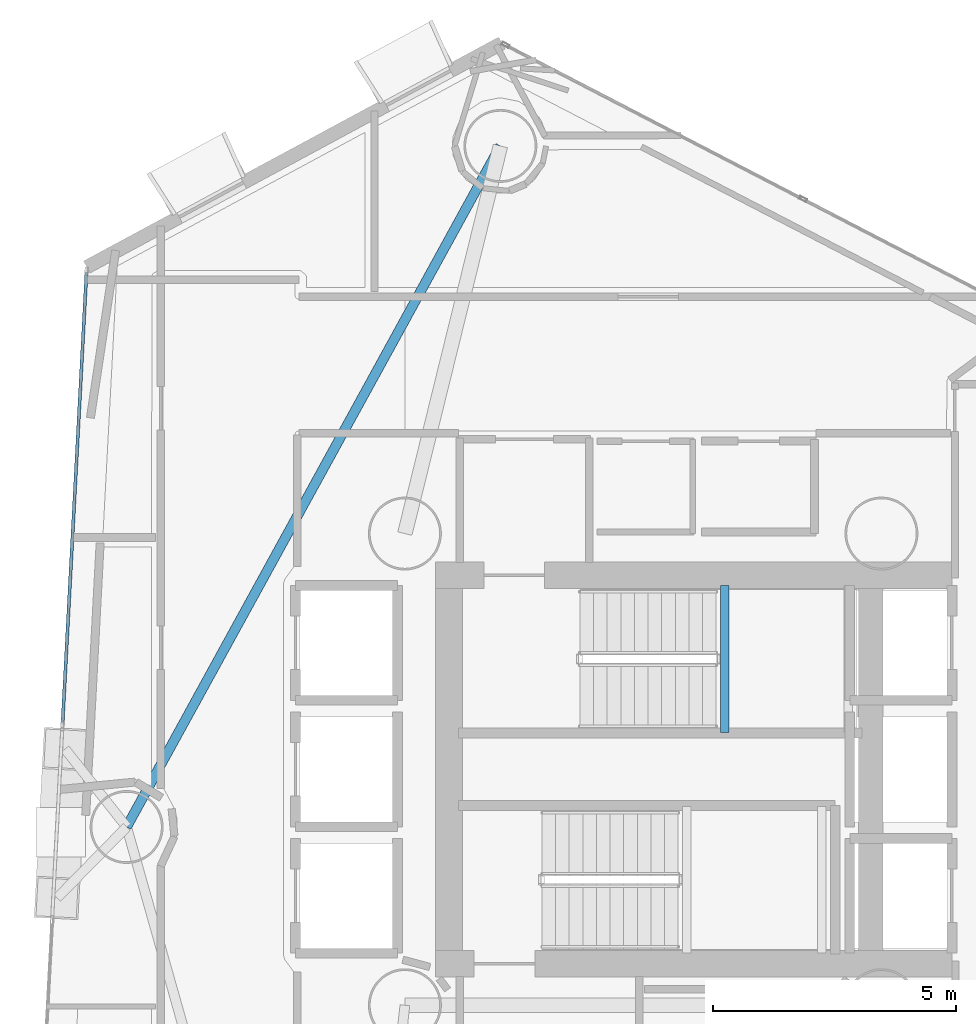
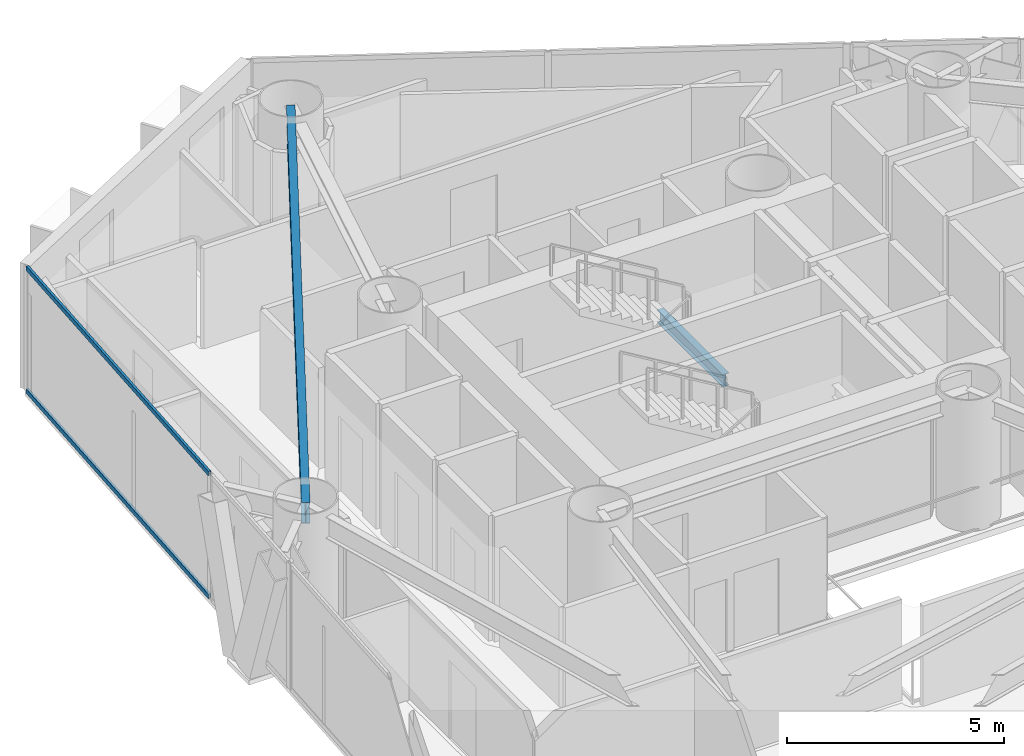
# One storey, part 8 of 21: 2 beams, 2 members, 1 element without a shape of its own.
"""IFC4 building model written with IfcOpenShell, lengths in metres."""

import ifcopenshell
import ifcopenshell.guid

model = None  # the IFC model being written
_history = None  # IfcOwnerHistory: only IFC2X3 demands one
_inside = {}  # id of a spatial element -> (the spatial element, [elements in it])
_under = {}  # id of a project, library or spatial element -> (it, [spatial elements below it])
_declared = {}  # id of a project -> (the project, [libraries it declares])
_typed = {}  # id of a type object -> (the type object, [elements of that type])
_made_of = {}  # id of a material, layer set ... -> (it, [elements and type objects made of it])


def new_model(schema):
    """Start an empty IFC model of exactly this schema.

    Asked for "IFC4X3", IfcOpenShell would pick the latest addendum, in which some entities
    have other attributes; the version numbers below select the first issue.
    IFC2X3 requires an IfcOwnerHistory on every rooted entity: one is made here for all.
    """
    global model, _history
    if schema == "IFC4X3":
        model = ifcopenshell.file(schema_version=(4, 3, 0, 0))
    else:
        model = ifcopenshell.file(schema=schema)
    _inside.clear()
    _under.clear()
    _declared.clear()
    _typed.clear()
    _made_of.clear()
    _history = None
    if model.schema == "IFC2X3":
        org = make("IfcOrganization", Name="unknown")
        user = make(
            "IfcPersonAndOrganization",
            ThePerson=make("IfcPerson", FamilyName="unknown"),
            TheOrganization=org,
        )
        app = make(
            "IfcApplication",
            ApplicationDeveloper=org,
            Version="unknown",
            ApplicationFullName="unknown",
            ApplicationIdentifier="unknown",
        )
        _history = make(
            "IfcOwnerHistory",
            OwningUser=user,
            OwningApplication=app,
            ChangeAction="ADDED",
            CreationDate=0,
        )
    return model


def make(cls, **values):
    """One entity of the class cls with the attributes given. An attribute that is None is left unset."""
    return model.create_entity(
        cls, **{name: value for name, value in values.items() if value is not None}
    )


def rooted(cls, **values):
    """An entity with a GlobalId (a new one), such as an element, a storey or a relation."""
    return make(cls, GlobalId=ifcopenshell.guid.new(), OwnerHistory=_history, **values)


def si_unit(unit_type, name, prefix=None):
    """IfcSIUnit, for example si_unit("LENGTHUNIT", "METRE", prefix="MILLI")."""
    return make("IfcSIUnit", UnitType=unit_type, Prefix=prefix, Name=name)


def assignment(units):
    """IfcUnitAssignment: the units of a project."""
    return None if units is None else make("IfcUnitAssignment", Units=units)


def point(xyz):
    """IfcCartesianPoint."""
    return None if xyz is None else make("IfcCartesianPoint", Coordinates=xyz)


def direction(xyz):
    """IfcDirection."""
    return None if xyz is None else make("IfcDirection", DirectionRatios=xyz)


def frame(location, z_axis=None, x_axis=None):
    """IfcAxis2Placement3D, a coordinate frame: its origin and axes. An axis left out is left unset."""
    return make(
        "IfcAxis2Placement3D",
        Location=point(location),
        Axis=direction(z_axis),
        RefDirection=direction(x_axis),
    )


def frame_2d(location, x_axis=None):
    """IfcAxis2Placement2D, a coordinate frame in the plane: its origin and x axis."""
    return make(
        "IfcAxis2Placement2D", Location=point(location), RefDirection=direction(x_axis)
    )


def origin():
    """The frame at (0, 0, 0) with its axes left unset."""
    return frame((0.0, 0.0, 0.0))


def origin_2d():
    """The frame at (0, 0) in the plane with its x axis left unset."""
    return frame_2d((0.0, 0.0))


def place(relative_to, where):
    """IfcLocalPlacement: puts the frame where relative to a parent placement (None: the world)."""
    return make(
        "IfcLocalPlacement", PlacementRelTo=relative_to, RelativePlacement=where
    )


def context(
    kind, dimensions, precision=None, world=None, true_north=None, identifier=None
):
    """IfcGeometricRepresentationContext, for example the 3D "Model" context."""
    return make(
        "IfcGeometricRepresentationContext",
        ContextIdentifier=identifier,
        ContextType=kind,
        CoordinateSpaceDimension=dimensions,
        Precision=precision,
        WorldCoordinateSystem=world,
        TrueNorth=true_north,
    )


def subcontext(parent, identifier, kind, view, scale=None):
    """IfcGeometricRepresentationSubContext, for example "Body" below "Model"."""
    return make(
        "IfcGeometricRepresentationSubContext",
        ContextIdentifier=identifier,
        ContextType=kind,
        ParentContext=parent,
        TargetScale=scale,
        TargetView=view,
    )


def project(units=None, contexts=None):
    """IfcProject with its units and contexts."""
    return rooted(
        "IfcProject",
        Name="project",
        RepresentationContexts=contexts,
        UnitsInContext=assignment(units),
    )


def spatial(cls, under=None, at=None, **own):
    """A site, building, storey or space (cls), placed at a placement, below another one or the project."""
    s = rooted(cls, ObjectPlacement=at, **own)
    if under is not None:
        _under.setdefault(under.id(), (under, []))[1].append(s)
    return s


def profile(cls, at=None, kind="AREA", **sizes):
    """A parametric profile (cls). Its sizes go by their IFC names, for example OverallWidth=200.0."""
    return make(cls, ProfileType=kind, Position=at, **sizes)


def hollow_rectangle(**sizes):
    """IfcRectangleHollowProfileDef."""
    return profile("IfcRectangleHollowProfileDef", **sizes)


def i_section(**sizes):
    """IfcIShapeProfileDef."""
    return profile("IfcIShapeProfileDef", **sizes)


def extrude(swept, where, along, depth):
    """IfcExtrudedAreaSolid: the profile swept, set in the frame where, extruded along a direction by depth."""
    return make(
        "IfcExtrudedAreaSolid",
        SweptArea=swept,
        Position=where,
        ExtrudedDirection=direction(along),
        Depth=depth,
    )


def shape(context_of_items, identifier, shape_type, items):
    """IfcShapeRepresentation: the items that make up one representation, for example the "Body"."""
    return make(
        "IfcShapeRepresentation",
        ContextOfItems=context_of_items,
        RepresentationIdentifier=identifier,
        RepresentationType=shape_type,
        Items=items,
    )


def material(Name=None, Category=None):
    """IfcMaterial."""
    return make("IfcMaterial", Name=Name, Category=Category)


def layer(
    of_material, thickness, ventilated=None, Name=None, Category=None, Priority=None
):
    """IfcMaterialLayer: one layer of a wall or slab, of a material (None: an air gap)."""
    return make(
        "IfcMaterialLayer",
        Material=of_material,
        LayerThickness=thickness,
        IsVentilated=ventilated,
        Name=Name,
        Category=Category,
        Priority=Priority,
    )


def layer_set(layers, Name=None):
    """IfcMaterialLayerSet."""
    return make("IfcMaterialLayerSet", MaterialLayers=layers, LayerSetName=Name)


def material_profile(
    of_material, cross_section, Name=None, Category=None, Priority=None
):
    """IfcMaterialProfile: a cross section and its material."""
    return make(
        "IfcMaterialProfile",
        Name=Name,
        Material=of_material,
        Profile=cross_section,
        Priority=Priority,
        Category=Category,
    )


def profile_set(profiles, Name=None, composite=None):
    """IfcMaterialProfileSet."""
    return make(
        "IfcMaterialProfileSet",
        Name=Name,
        MaterialProfiles=profiles,
        CompositeProfile=composite,
    )


def made_of(thing, what):
    """Note that an element or type object is made of a material, layer set ...; save() writes the relation."""
    if what is not None:
        _made_of.setdefault(what.id(), (what, []))[1].append(thing)
    return thing


def type_object(cls, material=None, **own):
    """A type object (cls), such as IfcWallType, which elements share."""
    return made_of(rooted(cls, **own), material)


def element(
    cls,
    number,
    at=None,
    inside=None,
    cuts=None,
    type_object=None,
    material=None,
    context=None,
    identifier="Body",
    shape_type=None,
    held_by="IfcProductDefinitionShape",
    body=None,
    shapes=None,
    **own,
):
    """One element of the class cls, such as IfcWall. Its Tag is "e" and its number.

    at: its placement. inside: the storey or other place that contains it. cuts: it is an
    opening in that element (IfcRelVoidsElement). A single representation is given by context,
    identifier, shape_type and body (its items); several are given by shapes. held_by: the class
    of the entity that holds the representations. save() writes the other relations.
    """
    e = rooted(cls, Tag="e%d" % number, ObjectPlacement=at, **own)
    if body is not None:
        shapes = [shape(context, identifier, shape_type, body)]
    if shapes is not None:
        e.Representation = make(held_by, Representations=shapes)
    if inside is not None:
        _inside.setdefault(inside.id(), (inside, []))[1].append(e)
    if cuts is not None:
        rooted(
            "IfcRelVoidsElement", RelatingBuildingElement=cuts, RelatedOpeningElement=e
        )
    if type_object is not None:
        _typed.setdefault(type_object.id(), (type_object, []))[1].append(e)
    return made_of(e, material)


def aggregate(whole, parts):
    """IfcRelAggregates: a whole, such as a stair, and the parts it consists of."""
    return rooted("IfcRelAggregates", RelatingObject=whole, RelatedObjects=parts)


def save(model, path):
    """Write the relations noted so far, then the file.

    IfcRelAggregates (storeys below a building ...), IfcRelContainedInSpatialStructure (elements
    in a storey), IfcRelDefinesByType, IfcRelAssociatesMaterial and IfcRelDeclares: one each for
    every whole, place, type object, material and project.
    """
    for whole, parts in _under.values():
        aggregate(whole, parts)
    for where, things in _inside.values():
        rooted(
            "IfcRelContainedInSpatialStructure",
            RelatedElements=things,
            RelatingStructure=where,
        )
    for kind, things in _typed.values():
        rooted("IfcRelDefinesByType", RelatedObjects=things, RelatingType=kind)
    for what, things in _made_of.values():
        rooted("IfcRelAssociatesMaterial", RelatedObjects=things, RelatingMaterial=what)
    for by, libraries in _declared.values():
        rooted("IfcRelDeclares", RelatingContext=by, RelatedDefinitions=libraries)
    model.write(path)


model = new_model("IFC4")

# Units and contexts
model_context = context("Model", 3, precision=1e-05, world=origin(), true_north=direction((0.0, 1.0)))
body_context = subcontext(model_context, "Body", "Model", "MODEL_VIEW")
ifc_project = project(units=[si_unit("LENGTHUNIT", "METRE"), si_unit("AREAUNIT", "SQUARE_METRE"), si_unit("VOLUMEUNIT", "CUBIC_METRE"), si_unit("PLANEANGLEUNIT", "RADIAN"), si_unit("MASSUNIT", "GRAM", prefix="KILO")], contexts=[model_context])

# Site, building, storey
site_placement = place(None, origin())
site = spatial("IfcSite", under=ifc_project, at=site_placement, CompositionType="ELEMENT")
building_placement = place(site_placement, origin())
building = spatial("IfcBuilding", under=site, at=building_placement, Name="Qianvela Tower", CompositionType="ELEMENT")
storey_placement = place(building_placement, frame((0.0, 0.0, 131.10009765625)))
storey = spatial("IfcBuildingStorey", under=building, at=storey_placement, Name="L33", CompositionType="ELEMENT", Elevation=131.10009765625)

# Beams
ifc_material_1 = material(Name="Steel Q355B", Category="steel")
ifc_material_profile_1 = material_profile(ifc_material_1, i_section(OverallWidth=0.175048828125, OverallDepth=0.35009765625, WebThickness=0.007080078125, FlangeThickness=0.010986328125, at=origin_2d()), Name="HN350x175x7x11")
ifc_profile_set_1 = profile_set([ifc_material_profile_1], Name="Steel Q355B")
beam_type_1 = type_object("IfcBeamType", Name="BM-HN350-JOIST", PredefinedType="JOIST", material=ifc_profile_set_1)
beam_1_placement = place(storey_placement, frame((35.179931640625, 29.4599609375, 1.474853515625), z_axis=(0.0, 1.0, 0.0), x_axis=(-1.0, 0.0, 0.0)))
element("IfcBeam", 1, at=beam_1_placement, inside=storey, type_object=beam_type_1, Name="L33 Stair ST-1 Landing Support Beam 1.1", PredefinedType="JOIST", context=body_context, shape_type="SweptSolid", body=[
    extrude(i_section(OverallWidth=0.175048828125, OverallDepth=0.35009765625, WebThickness=0.007080078125, FlangeThickness=0.010986328125, at=origin_2d()), origin(), (0.0, 0.0, 1.0), 3.02001953125),
])
ifc_material_2 = material(Name="Steel Q355B", Category="steel")
ifc_material_profile_2 = material_profile(ifc_material_2, i_section(OverallWidth=0.199951171875, OverallDepth=0.60009765625, WebThickness=0.010986328125, FlangeThickness=0.01708984375, at=origin_2d()), Name="HN600x200x11x17")
ifc_profile_set_2 = profile_set([ifc_material_profile_2], Name="Steel Q355B")
beam_type_2 = type_object("IfcBeamType", Name="BM-HN600-GIRD", PredefinedType="BEAM", material=ifc_profile_set_2)
beam_2_placement = place(storey_placement, frame((30.56396484375, 41.52099609375, 3.218017578125), z_axis=(-0.481118353038, -0.876655650965, 0.0), x_axis=(0.876655650965, -0.481118353038, 0.0)))
element("IfcBeam", 2, at=beam_2_placement, inside=storey, type_object=beam_type_2, Name="L33 Perimeter Ring Spandrel Girder 3", PredefinedType="BEAM", context=body_context, shape_type="SweptSolid", body=[
    extrude(i_section(OverallWidth=0.199951171875, OverallDepth=0.60009765625, WebThickness=0.010986328125, FlangeThickness=0.01708984375, at=origin_2d()), origin(), (0.0, 0.0, 1.0), 15.975341796875),
])

# Curtain wall, members
ifc_material_3 = material(Name="Anodised Architectural Aluminium and Low-E Glass", Category="aluminium")
ifc_layer = layer(ifc_material_3, 0.169921875)
ifc_layer_set = layer_set([ifc_layer], Name="Anodised Architectural Aluminium and Low-E Glass")
curtain_wall_type = type_object("IfcCurtainWallType", Name="CW-COLIV-Z34", PredefinedType="USERDEFINED", material=ifc_layer_set)
curtain_wall_placement = place(storey_placement, origin())
curtain_wall = element("IfcCurtainWall", 3, at=curtain_wall_placement, inside=storey, type_object=curtain_wall_type, Name="L33 CW-COLIV-Z34 Curtain Wall 04A", ObjectType="CURTAIN_WALL_SYSTEM", PredefinedType="USERDEFINED")
ifc_material_4 = material(Name="Anodised Architectural Aluminium 6063-T6", Category="aluminium")
ifc_material_profile_3 = material_profile(ifc_material_4, hollow_rectangle(XDim=0.06494140625, YDim=0.1298828125, WallThickness=0.00439453125, at=origin_2d()), Name="ALU-TRAN-65x130")
ifc_profile_set_3 = profile_set([ifc_material_profile_3], Name="Anodised Architectural Aluminium 6063-T6")
member_type = type_object("IfcMemberType", Name="CW-COLIV-Z34-TRAN", PredefinedType="USERDEFINED", material=ifc_profile_set_3)
member_1_placement = place(storey_placement, frame((22.0517578125, 38.916748046875, 0.032470703125), z_axis=(-0.053019629021, -0.998593470306, 0.0), x_axis=(0.998593470306, -0.053019629021, 0.0)))
member_1 = element("IfcMember", 4, at=member_1_placement, type_object=member_type, Name="CW-4 transom 1.1", ObjectType="TRANSOM", PredefinedType="USERDEFINED", context=body_context, shape_type="SweptSolid", body=[
    extrude(hollow_rectangle(XDim=0.06494140625, YDim=0.1298828125, WallThickness=0.00439453125, at=origin_2d()), origin(), (0.0, 0.0, 1.0), 9.260009765625),
])
member_2_placement = place(storey_placement, frame((22.0517578125, 38.916748046875, 3.4873046875), z_axis=(-0.053019629021, -0.998593470306, 0.0), x_axis=(0.998593470306, -0.053019629021, 0.0)))
member_2 = element("IfcMember", 5, at=member_2_placement, type_object=member_type, Name="CW-4 transom 1.2", ObjectType="TRANSOM", PredefinedType="USERDEFINED", context=body_context, shape_type="SweptSolid", body=[
    extrude(hollow_rectangle(XDim=0.06494140625, YDim=0.1298828125, WallThickness=0.00439453125, at=origin_2d()), origin(), (0.0, 0.0, 1.0), 9.260009765625),
])
aggregate(curtain_wall, [member_1, member_2])

save(model, "model.ifc")
